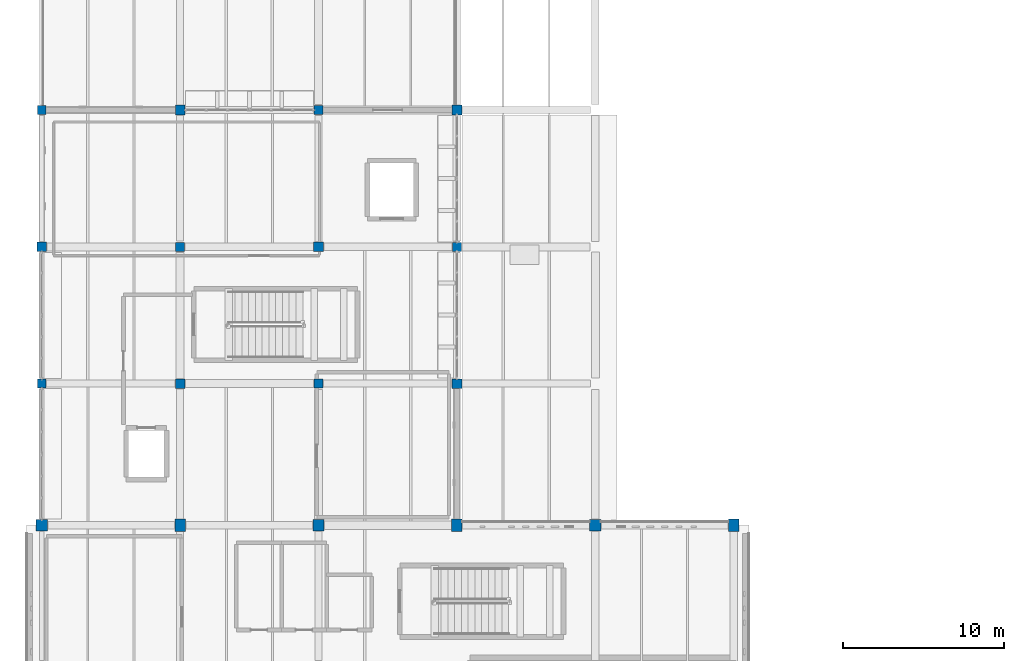
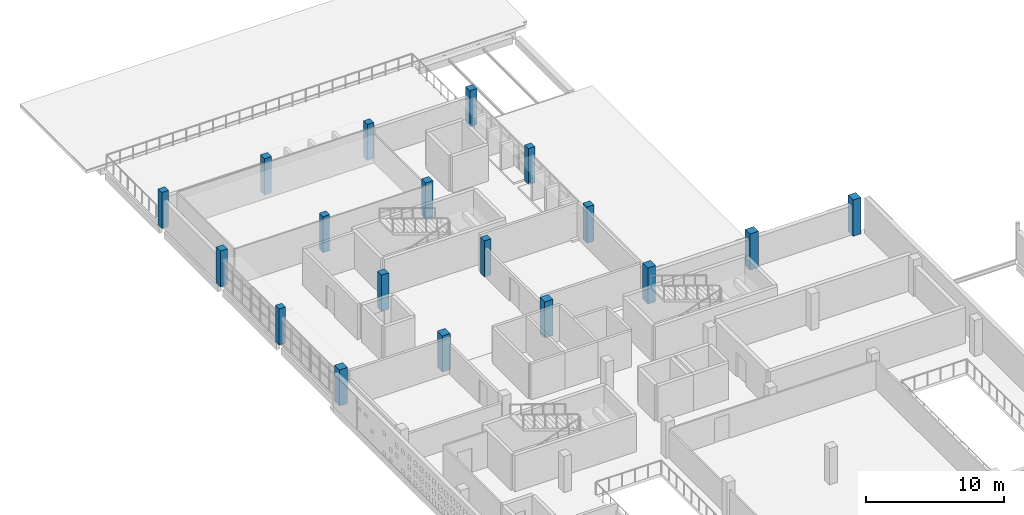
# One storey, part 4 of 55: 18 columns.
"""IFC4 building model written with IfcOpenShell, lengths in metres."""

from ifc_helpers import new_model, si_unit, direction, frame, origin, origin_2d, place, context, subcontext, project, spatial, rectangle, extrude, material, material_profile, profile_set, type_object, element, save


model = new_model("IFC4")

# Units and contexts
model_context = context("Model", 3, precision=1e-05, world=origin(), true_north=direction((0.0, 1.0)))
body_context = subcontext(model_context, "Body", "Model", "MODEL_VIEW")
ifc_project = project(units=[si_unit("LENGTHUNIT", "METRE"), si_unit("AREAUNIT", "SQUARE_METRE"), si_unit("VOLUMEUNIT", "CUBIC_METRE"), si_unit("PLANEANGLEUNIT", "RADIAN"), si_unit("MASSUNIT", "GRAM", prefix="KILO")], contexts=[model_context])

# Site, building, storey
site_placement = place(None, origin())
site = spatial("IfcSite", under=ifc_project, at=site_placement, CompositionType="ELEMENT")
building_placement = place(site_placement, origin())
building = spatial("IfcBuilding", under=site, at=building_placement, Name="Varnakota Cinema and Media Centre", CompositionType="ELEMENT")
storey_placement = place(building_placement, frame((0.0, 0.0, 15.60009765625)))
storey = spatial("IfcBuildingStorey", under=building, at=storey_placement, Name="L04", CompositionType="ELEMENT", Elevation=15.60009765625)

# Columns
ifc_material_1 = material(Name="Concrete M40", Category="concrete")
ifc_material_profile_1 = material_profile(ifc_material_1, rectangle(XDim=0.550048828125, YDim=0.550048828125, at=origin_2d()), Name="RC 550x550")
ifc_profile_set_1 = profile_set([ifc_material_profile_1], Name="Concrete M40")
column_type_1 = type_object("IfcColumnType", Name="COL-RC-550x550", PredefinedType="COLUMN", material=ifc_profile_set_1)
for number, where, z_axis, x_axis, name in (
    (1, (0.0, 44.0, 0.0), (0.0, 0.0, 1.0), (1.0, 0.0, 0.0), "L04 column A/6"),
    (2, (0.0, 61.0, 0.0), (0.0, 0.0, 1.0), (1.0, 0.0, 0.0), "L04 column A/8"),
    (3, (8.60009765625, 52.5, 0.0), (0.0, 0.0, 1.0), (1.0, 0.0, 0.0), "L04 column B/7"),
    (4, (17.199951171875, 44.0, 0.0), (0.0, 0.0, 1.0), (1.0, 0.0, 0.0), "L04 column C/6"),
    (5, (17.199951171875, 61.0, 0.0), (0.0, 0.0, 1.0), (1.0, 0.0, 0.0), "L04 column C/8"),
    (6, (25.800048828125, 52.5, 0.0), (0.0, 0.0, 1.0), (1.0, 0.0, 0.0), "L04 column D/7"),
):
    element("IfcColumn", number, at=place(storey_placement, frame(where, z_axis=z_axis, x_axis=x_axis)), inside=storey, type_object=column_type_1, Name=name, PredefinedType="COLUMN", context=body_context, shape_type="SweptSolid", body=[
        extrude(rectangle(XDim=0.550048828125, YDim=0.550048828125, at=origin_2d()), origin(), (0.0, 0.0, 1.0), 3.199951171875),
    ])
ifc_material_2 = material(Name="Concrete M40", Category="concrete")
ifc_material_profile_2 = material_profile(ifc_material_2, rectangle(XDim=0.60009765625, YDim=0.60009765625, at=origin_2d()), Name="RC 600x600")
ifc_profile_set_2 = profile_set([ifc_material_profile_2], Name="Concrete M40")
column_type_2 = type_object("IfcColumnType", Name="COL-RC-600x600", PredefinedType="COLUMN", material=ifc_profile_set_2)
for number, where, z_axis, x_axis, name in (
    (7, (0.0, 52.5, 0.0), (0.0, 0.0, 1.0), (1.0, 0.0, 0.0), "L04 column A/7"),
    (8, (8.60009765625, 44.0, 0.0), (0.0, 0.0, 1.0), (1.0, 0.0, 0.0), "L04 column B/6"),
    (9, (8.60009765625, 61.0, 0.0), (0.0, 0.0, 1.0), (1.0, 0.0, 0.0), "L04 column B/8"),
    (10, (17.199951171875, 52.5, 0.0), (0.0, 0.0, 1.0), (1.0, 0.0, 0.0), "L04 column C/7"),
    (11, (25.800048828125, 44.0, 0.0), (0.0, 0.0, 1.0), (1.0, 0.0, 0.0), "L04 column D/6"),
    (12, (25.800048828125, 61.0, 0.0), (0.0, 0.0, 1.0), (1.0, 0.0, 0.0), "L04 column D/8"),
):
    element("IfcColumn", number, at=place(storey_placement, frame(where, z_axis=z_axis, x_axis=x_axis)), inside=storey, type_object=column_type_2, Name=name, PredefinedType="COLUMN", context=body_context, shape_type="SweptSolid", body=[
        extrude(rectangle(XDim=0.60009765625, YDim=0.60009765625, at=origin_2d()), origin(), (0.0, 0.0, 1.0), 3.199951171875),
    ])
ifc_material_3 = material(Name="Concrete M40", Category="concrete")
ifc_material_profile_3 = material_profile(ifc_material_3, rectangle(XDim=0.64990234375, YDim=0.75, at=origin_2d()), Name="RC 650x750")
ifc_profile_set_3 = profile_set([ifc_material_profile_3], Name="Concrete M40")
column_type_3 = type_object("IfcColumnType", Name="COL-RC-650x750", PredefinedType="COLUMN", material=ifc_profile_set_3)
for number, where, z_axis, x_axis, name in (
    (13, (8.60009765625, 35.199951171875, 0.0), (0.0, 0.0, 1.0), (1.0, 0.0, 0.0), "L04 column B/5"),
    (14, (25.800048828125, 35.199951171875, 0.0), (0.0, 0.0, 1.0), (1.0, 0.0, 0.0), "L04 column D/5"),
    (15, (43.0, 35.199951171875, 0.0), (0.0, 0.0, 1.0), (1.0, 0.0, 0.0), "L04 column F/5"),
):
    element("IfcColumn", number, at=place(storey_placement, frame(where, z_axis=z_axis, x_axis=x_axis)), inside=storey, type_object=column_type_3, Name=name, PredefinedType="COLUMN", context=body_context, shape_type="SweptSolid", body=[
        extrude(rectangle(XDim=0.64990234375, YDim=0.75, at=origin_2d()), origin(), (0.0, 0.0, 1.0), 3.199951171875),
    ])
ifc_material_4 = material(Name="Concrete M40", Category="concrete")
ifc_material_profile_4 = material_profile(ifc_material_4, rectangle(XDim=0.699951171875, YDim=0.699951171875, at=origin_2d()), Name="RC 700x700")
ifc_profile_set_4 = profile_set([ifc_material_profile_4], Name="Concrete M40")
column_type_4 = type_object("IfcColumnType", Name="COL-RC-700x700", PredefinedType="COLUMN", material=ifc_profile_set_4)
for number, where, z_axis, x_axis, name in (
    (16, (0.0, 35.199951171875, 0.0), (0.0, 0.0, 1.0), (1.0, 0.0, 0.0), "L04 column A/5"),
    (17, (17.199951171875, 35.199951171875, 0.0), (0.0, 0.0, 1.0), (1.0, 0.0, 0.0), "L04 column C/5"),
    (18, (34.39990234375, 35.199951171875, 0.0), (0.0, 0.0, 1.0), (1.0, 0.0, 0.0), "L04 column E/5"),
):
    element("IfcColumn", number, at=place(storey_placement, frame(where, z_axis=z_axis, x_axis=x_axis)), inside=storey, type_object=column_type_4, Name=name, PredefinedType="COLUMN", context=body_context, shape_type="SweptSolid", body=[
        extrude(rectangle(XDim=0.699951171875, YDim=0.699951171875, at=origin_2d()), origin(), (0.0, 0.0, 1.0), 3.199951171875),
    ])

save(model, "model.ifc")
